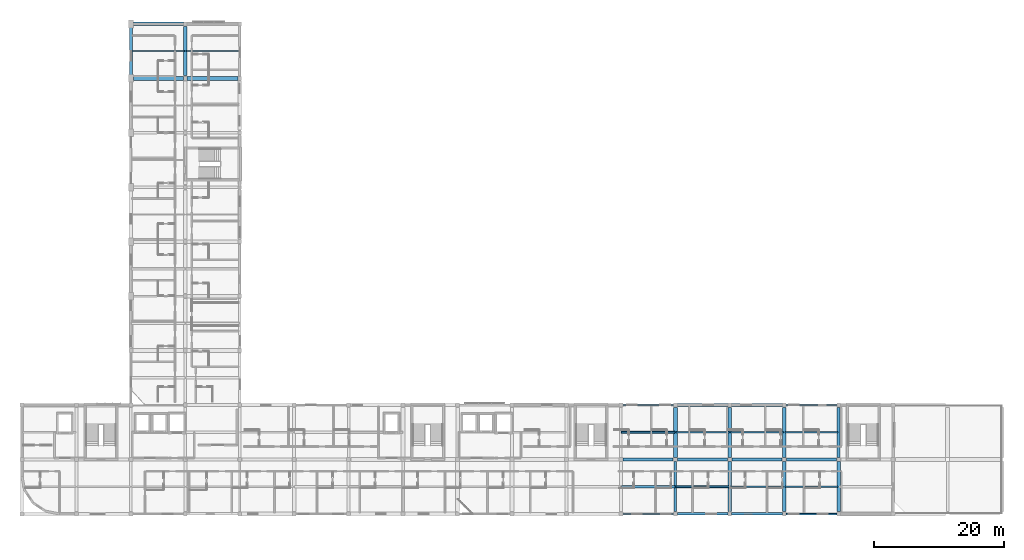
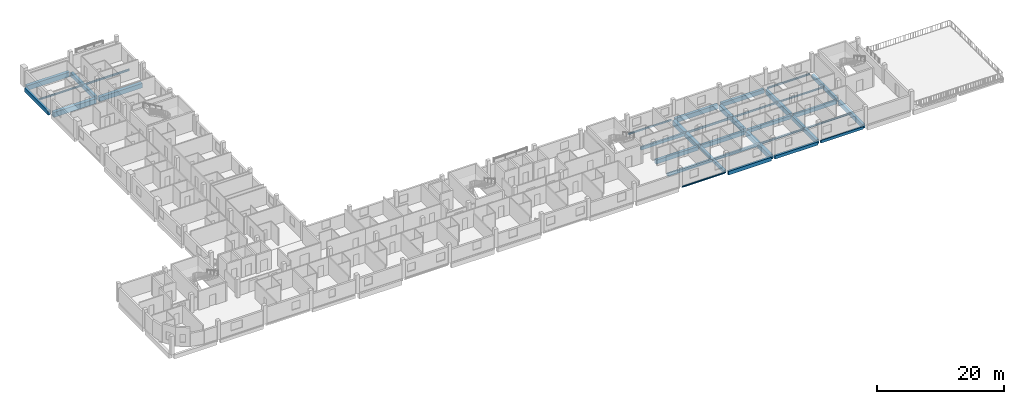
# One storey, part 5 of 25: 35 beams.
"""IFC4 building model written with IfcOpenShell, lengths in metres."""

import ifcopenshell
import ifcopenshell.guid

model = None  # the IFC model being written
_history = None  # IfcOwnerHistory: only IFC2X3 demands one
_inside = {}  # id of a spatial element -> (the spatial element, [elements in it])
_under = {}  # id of a project, library or spatial element -> (it, [spatial elements below it])
_declared = {}  # id of a project -> (the project, [libraries it declares])
_typed = {}  # id of a type object -> (the type object, [elements of that type])
_made_of = {}  # id of a material, layer set ... -> (it, [elements and type objects made of it])


def new_model(schema):
    """Start an empty IFC model of exactly this schema.

    Asked for "IFC4X3", IfcOpenShell would pick the latest addendum, in which some entities
    have other attributes; the version numbers below select the first issue.
    IFC2X3 requires an IfcOwnerHistory on every rooted entity: one is made here for all.
    """
    global model, _history
    if schema == "IFC4X3":
        model = ifcopenshell.file(schema_version=(4, 3, 0, 0))
    else:
        model = ifcopenshell.file(schema=schema)
    _inside.clear()
    _under.clear()
    _declared.clear()
    _typed.clear()
    _made_of.clear()
    _history = None
    if model.schema == "IFC2X3":
        org = make("IfcOrganization", Name="unknown")
        user = make(
            "IfcPersonAndOrganization",
            ThePerson=make("IfcPerson", FamilyName="unknown"),
            TheOrganization=org,
        )
        app = make(
            "IfcApplication",
            ApplicationDeveloper=org,
            Version="unknown",
            ApplicationFullName="unknown",
            ApplicationIdentifier="unknown",
        )
        _history = make(
            "IfcOwnerHistory",
            OwningUser=user,
            OwningApplication=app,
            ChangeAction="ADDED",
            CreationDate=0,
        )
    return model


def make(cls, **values):
    """One entity of the class cls with the attributes given. An attribute that is None is left unset."""
    return model.create_entity(
        cls, **{name: value for name, value in values.items() if value is not None}
    )


def rooted(cls, **values):
    """An entity with a GlobalId (a new one), such as an element, a storey or a relation."""
    return make(cls, GlobalId=ifcopenshell.guid.new(), OwnerHistory=_history, **values)


def si_unit(unit_type, name, prefix=None):
    """IfcSIUnit, for example si_unit("LENGTHUNIT", "METRE", prefix="MILLI")."""
    return make("IfcSIUnit", UnitType=unit_type, Prefix=prefix, Name=name)


def derived_unit(unit_type, elements):
    """IfcDerivedUnit: a product of units, each with its exponent."""
    return make(
        "IfcDerivedUnit",
        Elements=[
            make("IfcDerivedUnitElement", Unit=unit, Exponent=power)
            for unit, power in elements
        ],
        UnitType=unit_type,
    )


def assignment(units):
    """IfcUnitAssignment: the units of a project."""
    return None if units is None else make("IfcUnitAssignment", Units=units)


def point(xyz):
    """IfcCartesianPoint."""
    return None if xyz is None else make("IfcCartesianPoint", Coordinates=xyz)


def direction(xyz):
    """IfcDirection."""
    return None if xyz is None else make("IfcDirection", DirectionRatios=xyz)


def frame(location, z_axis=None, x_axis=None):
    """IfcAxis2Placement3D, a coordinate frame: its origin and axes. An axis left out is left unset."""
    return make(
        "IfcAxis2Placement3D",
        Location=point(location),
        Axis=direction(z_axis),
        RefDirection=direction(x_axis),
    )


def frame_2d(location, x_axis=None):
    """IfcAxis2Placement2D, a coordinate frame in the plane: its origin and x axis."""
    return make(
        "IfcAxis2Placement2D", Location=point(location), RefDirection=direction(x_axis)
    )


def origin():
    """The frame at (0, 0, 0) with its axes left unset."""
    return frame((0.0, 0.0, 0.0))


def origin_2d():
    """The frame at (0, 0) in the plane with its x axis left unset."""
    return frame_2d((0.0, 0.0))


def place(relative_to, where):
    """IfcLocalPlacement: puts the frame where relative to a parent placement (None: the world)."""
    return make(
        "IfcLocalPlacement", PlacementRelTo=relative_to, RelativePlacement=where
    )


def context(
    kind, dimensions, precision=None, world=None, true_north=None, identifier=None
):
    """IfcGeometricRepresentationContext, for example the 3D "Model" context."""
    return make(
        "IfcGeometricRepresentationContext",
        ContextIdentifier=identifier,
        ContextType=kind,
        CoordinateSpaceDimension=dimensions,
        Precision=precision,
        WorldCoordinateSystem=world,
        TrueNorth=true_north,
    )


def subcontext(parent, identifier, kind, view, scale=None):
    """IfcGeometricRepresentationSubContext, for example "Body" below "Model"."""
    return make(
        "IfcGeometricRepresentationSubContext",
        ContextIdentifier=identifier,
        ContextType=kind,
        ParentContext=parent,
        TargetScale=scale,
        TargetView=view,
    )


def project(units=None, contexts=None):
    """IfcProject with its units and contexts."""
    return rooted(
        "IfcProject",
        Name="project",
        RepresentationContexts=contexts,
        UnitsInContext=assignment(units),
    )


def spatial(cls, under=None, at=None, **own):
    """A site, building, storey or space (cls), placed at a placement, below another one or the project."""
    s = rooted(cls, ObjectPlacement=at, **own)
    if under is not None:
        _under.setdefault(under.id(), (under, []))[1].append(s)
    return s


def profile(cls, at=None, kind="AREA", **sizes):
    """A parametric profile (cls). Its sizes go by their IFC names, for example OverallWidth=200.0."""
    return make(cls, ProfileType=kind, Position=at, **sizes)


def rectangle(**sizes):
    """IfcRectangleProfileDef."""
    return profile("IfcRectangleProfileDef", **sizes)


def hollow_rectangle(**sizes):
    """IfcRectangleHollowProfileDef."""
    return profile("IfcRectangleHollowProfileDef", **sizes)


def i_section(**sizes):
    """IfcIShapeProfileDef."""
    return profile("IfcIShapeProfileDef", **sizes)


def extrude(swept, where, along, depth):
    """IfcExtrudedAreaSolid: the profile swept, set in the frame where, extruded along a direction by depth."""
    return make(
        "IfcExtrudedAreaSolid",
        SweptArea=swept,
        Position=where,
        ExtrudedDirection=direction(along),
        Depth=depth,
    )


def shape(context_of_items, identifier, shape_type, items):
    """IfcShapeRepresentation: the items that make up one representation, for example the "Body"."""
    return make(
        "IfcShapeRepresentation",
        ContextOfItems=context_of_items,
        RepresentationIdentifier=identifier,
        RepresentationType=shape_type,
        Items=items,
    )


def material(Name=None, Category=None):
    """IfcMaterial."""
    return make("IfcMaterial", Name=Name, Category=Category)


def material_profile(
    of_material, cross_section, Name=None, Category=None, Priority=None
):
    """IfcMaterialProfile: a cross section and its material."""
    return make(
        "IfcMaterialProfile",
        Name=Name,
        Material=of_material,
        Profile=cross_section,
        Priority=Priority,
        Category=Category,
    )


def profile_set(profiles, Name=None, composite=None):
    """IfcMaterialProfileSet."""
    return make(
        "IfcMaterialProfileSet",
        Name=Name,
        MaterialProfiles=profiles,
        CompositeProfile=composite,
    )


def made_of(thing, what):
    """Note that an element or type object is made of a material, layer set ...; save() writes the relation."""
    if what is not None:
        _made_of.setdefault(what.id(), (what, []))[1].append(thing)
    return thing


def type_object(cls, material=None, **own):
    """A type object (cls), such as IfcWallType, which elements share."""
    return made_of(rooted(cls, **own), material)


def element(
    cls,
    number,
    at=None,
    inside=None,
    cuts=None,
    type_object=None,
    material=None,
    context=None,
    identifier="Body",
    shape_type=None,
    held_by="IfcProductDefinitionShape",
    body=None,
    shapes=None,
    **own,
):
    """One element of the class cls, such as IfcWall. Its Tag is "e" and its number.

    at: its placement. inside: the storey or other place that contains it. cuts: it is an
    opening in that element (IfcRelVoidsElement). A single representation is given by context,
    identifier, shape_type and body (its items); several are given by shapes. held_by: the class
    of the entity that holds the representations. save() writes the other relations.
    """
    e = rooted(cls, Tag="e%d" % number, ObjectPlacement=at, **own)
    if body is not None:
        shapes = [shape(context, identifier, shape_type, body)]
    if shapes is not None:
        e.Representation = make(held_by, Representations=shapes)
    if inside is not None:
        _inside.setdefault(inside.id(), (inside, []))[1].append(e)
    if cuts is not None:
        rooted(
            "IfcRelVoidsElement", RelatingBuildingElement=cuts, RelatedOpeningElement=e
        )
    if type_object is not None:
        _typed.setdefault(type_object.id(), (type_object, []))[1].append(e)
    return made_of(e, material)


def aggregate(whole, parts):
    """IfcRelAggregates: a whole, such as a stair, and the parts it consists of."""
    return rooted("IfcRelAggregates", RelatingObject=whole, RelatedObjects=parts)


def save(model, path):
    """Write the relations noted so far, then the file.

    IfcRelAggregates (storeys below a building ...), IfcRelContainedInSpatialStructure (elements
    in a storey), IfcRelDefinesByType, IfcRelAssociatesMaterial and IfcRelDeclares: one each for
    every whole, place, type object, material and project.
    """
    for whole, parts in _under.values():
        aggregate(whole, parts)
    for where, things in _inside.values():
        rooted(
            "IfcRelContainedInSpatialStructure",
            RelatedElements=things,
            RelatingStructure=where,
        )
    for kind, things in _typed.values():
        rooted("IfcRelDefinesByType", RelatedObjects=things, RelatingType=kind)
    for what, things in _made_of.values():
        rooted("IfcRelAssociatesMaterial", RelatedObjects=things, RelatingMaterial=what)
    for by, libraries in _declared.values():
        rooted("IfcRelDeclares", RelatingContext=by, RelatedDefinitions=libraries)
    model.write(path)


model = new_model("IFC4")

# Units and contexts
model_context = context("Model", 3, precision=1e-05, world=origin(), true_north=direction((0.0, 1.0)))
body_context = subcontext(model_context, "Body", "Model", "MODEL_VIEW")
ifc_project = project(units=[si_unit("LENGTHUNIT", "METRE"), si_unit("AREAUNIT", "SQUARE_METRE"), si_unit("VOLUMEUNIT", "CUBIC_METRE"), si_unit("PLANEANGLEUNIT", "RADIAN"), si_unit("MASSUNIT", "GRAM", prefix="KILO"), derived_unit("THERMALTRANSMITTANCEUNIT", [(si_unit("POWERUNIT", "WATT"), 1), (si_unit("LENGTHUNIT", "METRE"), -2), (si_unit("THERMODYNAMICTEMPERATUREUNIT", "KELVIN"), -1)])], contexts=[model_context])

# Site, building, storey
site_placement = place(None, origin())
site = spatial("IfcSite", under=ifc_project, at=site_placement, CompositionType="ELEMENT")
building_placement = place(site_placement, origin())
building = spatial("IfcBuilding", under=site, at=building_placement, Name="Barrovel Congress Hotel", CompositionType="ELEMENT")
storey_placement = place(building_placement, frame((0.0, 0.0, 25.5)))
storey = spatial("IfcBuildingStorey", under=building, at=storey_placement, Name="L06", CompositionType="ELEMENT", Elevation=25.5)

# Beams
ifc_material_1 = material(Name="Concrete C40", Category="concrete")
ifc_material_profile_1 = material_profile(ifc_material_1, rectangle(XDim=0.25, YDim=0.5, at=origin_2d()), Name="RC250x500")
ifc_profile_set_1 = profile_set([ifc_material_profile_1], Name="Concrete C40")
beam_type_1 = type_object("IfcBeamType", Name="BM-RC250x500", PredefinedType="SPANDREL", material=ifc_profile_set_1)
beam_1_placement = place(storey_placement, frame((134.699951171875, 4.199951171875, -0.469970703125), z_axis=(1.0, 0.0, 0.0), x_axis=(0.0, 1.0, 0.0)))
element("IfcBeam", 1, at=beam_1_placement, inside=storey, type_object=beam_type_1, Name="BMX:L06:4.2:134.4-142.8", PredefinedType="SPANDREL", context=body_context, shape_type="SweptSolid", body=[
    extrude(rectangle(XDim=0.25, YDim=0.5, at=origin_2d()), origin(), (0.0, 0.0, 1.0), 7.800048828125),
])
ifc_material_profile_2 = material_profile(ifc_material_1, rectangle(XDim=0.300048828125, YDim=0.5, at=origin_2d()), Name="RC300x500")
ifc_profile_set_2 = profile_set([ifc_material_profile_2], Name="Concrete C40")
beam_type_2 = type_object("IfcBeamType", Name="BM-RC300x500", PredefinedType="JOIST", material=ifc_profile_set_2)
beam_2_placement = place(storey_placement, frame((117.679931640625, 8.39990234375, -0.469970703125), z_axis=(1.0, 0.0, 0.0), x_axis=(0.0, 1.0, 0.0)))
element("IfcBeam", 2, at=beam_2_placement, inside=storey, type_object=beam_type_2, Name="JST:L06:117.6:8.4", PredefinedType="JOIST", context=body_context, shape_type="SweptSolid", body=[
    extrude(rectangle(XDim=0.300048828125, YDim=0.5, at=origin_2d()), origin(), (0.0, 0.0, 1.0), 8.239990234375),
])
ifc_material_profile_3 = material_profile(ifc_material_1, rectangle(XDim=0.300048828125, YDim=0.60009765625, at=origin_2d()), Name="RC300x600")
ifc_profile_set_3 = profile_set([ifc_material_profile_3], Name="Concrete C40")
beam_type_3 = type_object("IfcBeamType", Name="BM-RC300x600", PredefinedType="JOIST", material=ifc_profile_set_3)
beam_3_placement = place(storey_placement, frame((109.280029296875, 16.800048828125, -0.52001953125), z_axis=(1.0, 0.0, 0.0), x_axis=(0.0, 1.0, 0.0)))
element("IfcBeam", 3, at=beam_3_placement, inside=storey, type_object=beam_type_3, Name="JST:L06:109.2:16.8", PredefinedType="JOIST", context=body_context, shape_type="SweptSolid", body=[
    extrude(rectangle(XDim=0.300048828125, YDim=0.60009765625, at=origin_2d()), origin(), (0.0, 0.0, 1.0), 8.239990234375),
])
ifc_material_profile_4 = material_profile(ifc_material_1, rectangle(XDim=0.35009765625, YDim=0.550048828125, at=origin_2d()), Name="RC350x550")
ifc_profile_set_4 = profile_set([ifc_material_profile_4], Name="Concrete C40")
beam_type_4 = type_object("IfcBeamType", Name="BM-RC350x550", PredefinedType="JOIST", material=ifc_profile_set_4)
beam_4_placement = place(storey_placement, frame((109.280029296875, 8.39990234375, -0.4951171875), z_axis=(1.0, 0.0, 0.0), x_axis=(0.0, 1.0, 0.0)))
element("IfcBeam", 4, at=beam_4_placement, inside=storey, type_object=beam_type_4, Name="JST:L06:109.2:8.4", PredefinedType="JOIST", context=body_context, shape_type="SweptSolid", body=[
    extrude(rectangle(XDim=0.35009765625, YDim=0.550048828125, at=origin_2d()), origin(), (0.0, 0.0, 1.0), 8.239990234375),
])
ifc_material_profile_5 = material_profile(ifc_material_1, rectangle(XDim=0.39990234375, YDim=0.60009765625, at=origin_2d()), Name="RC400x600")
ifc_profile_set_5 = profile_set([ifc_material_profile_5], Name="Concrete C40")
beam_type_5 = type_object("IfcBeamType", Name="BM-RC400x600", PredefinedType="BEAM", material=ifc_profile_set_5)
beam_5_placement = place(storey_placement, frame((126.300048828125, 4.199951171875, -0.52001953125), z_axis=(1.0, 0.0, 0.0), x_axis=(0.0, 1.0, 0.0)))
element("IfcBeam", 5, at=beam_5_placement, inside=storey, type_object=beam_type_5, Name="BMX:L06:4.2:126.0-134.4", PredefinedType="BEAM", context=body_context, shape_type="SweptSolid", body=[
    extrude(rectangle(XDim=0.39990234375, YDim=0.60009765625, at=origin_2d()), origin(), (0.0, 0.0, 1.0), 7.800048828125),
])
beam_6_placement = place(storey_placement, frame((117.60009765625, 4.60009765625, -0.52001953125), z_axis=(0.0, 1.0, 0.0), x_axis=(-1.0, 0.0, 0.0)))
element("IfcBeam", 6, at=beam_6_placement, inside=storey, type_object=beam_type_5, Name="BMY:L06:117.6:4.2-12.6", PredefinedType="BEAM", context=body_context, shape_type="SweptSolid", body=[
    extrude(rectangle(XDim=0.39990234375, YDim=0.60009765625, at=origin_2d()), origin(), (0.0, 0.0, 1.0), 7.6748046875),
])
ifc_material_profile_6 = material_profile(ifc_material_1, rectangle(XDim=0.39990234375, YDim=0.699951171875, at=origin_2d()), Name="RC400x700")
ifc_profile_set_6 = profile_set([ifc_material_profile_6], Name="Concrete C40")
beam_type_6 = type_object("IfcBeamType", Name="BM-RC400x700", PredefinedType="BEAM", material=ifc_profile_set_6)
beam_7_placement = place(storey_placement, frame((117.89990234375, 4.199951171875, -0.570068359375), z_axis=(1.0, 0.0, 0.0), x_axis=(0.0, 1.0, 0.0)))
element("IfcBeam", 7, at=beam_7_placement, inside=storey, type_object=beam_type_6, Name="BMX:L06:4.2:117.6-126.0", PredefinedType="BEAM", context=body_context, shape_type="SweptSolid", body=[
    extrude(rectangle(XDim=0.39990234375, YDim=0.699951171875, at=origin_2d()), origin(), (0.0, 0.0, 1.0), 7.800048828125),
])
beam_8_placement = place(storey_placement, frame((134.72509765625, 12.60009765625, -0.570068359375), z_axis=(1.0, 0.0, 0.0), x_axis=(0.0, 1.0, 0.0)))
element("IfcBeam", 8, at=beam_8_placement, inside=storey, type_object=beam_type_6, Name="BMX:L06:12.6:134.4-142.8", PredefinedType="BEAM", context=body_context, shape_type="SweptSolid", body=[
    extrude(rectangle(XDim=0.39990234375, YDim=0.699951171875, at=origin_2d()), origin(), (0.0, 0.0, 1.0), 7.75),
])
ifc_material_profile_7 = material_profile(ifc_material_1, rectangle(XDim=0.449951171875, YDim=0.64990234375, at=origin_2d()), Name="RC450x650")
ifc_profile_set_7 = profile_set([ifc_material_profile_7], Name="Concrete C40")
beam_type_7 = type_object("IfcBeamType", Name="BM-RC450x650", PredefinedType="BEAM", material=ifc_profile_set_7)
beam_9_placement = place(storey_placement, frame((126.324951171875, 12.60009765625, -0.544921875), z_axis=(1.0, 0.0, 0.0), x_axis=(0.0, 1.0, 0.0)))
element("IfcBeam", 9, at=beam_9_placement, inside=storey, type_object=beam_type_7, Name="BMX:L06:12.6:126.0-134.4", PredefinedType="BEAM", context=body_context, shape_type="SweptSolid", body=[
    extrude(rectangle(XDim=0.449951171875, YDim=0.64990234375, at=origin_2d()), origin(), (0.0, 0.0, 1.0), 7.75),
])
ifc_material_profile_8 = material_profile(ifc_material_1, rectangle(XDim=0.449951171875, YDim=0.75, at=origin_2d()), Name="RC450x750")
ifc_profile_set_8 = profile_set([ifc_material_profile_8], Name="Concrete C40")
beam_type_8 = type_object("IfcBeamType", Name="BM-RC450x750", PredefinedType="BEAM", material=ifc_profile_set_8)
beam_10_placement = place(storey_placement, frame((117.925048828125, 12.60009765625, -0.594970703125), z_axis=(1.0, 0.0, 0.0), x_axis=(0.0, 1.0, 0.0)))
element("IfcBeam", 10, at=beam_10_placement, inside=storey, type_object=beam_type_8, Name="BMX:L06:12.6:117.6-126.0", PredefinedType="BEAM", context=body_context, shape_type="SweptSolid", body=[
    extrude(rectangle(XDim=0.449951171875, YDim=0.75, at=origin_2d()), origin(), (0.0, 0.0, 1.0), 7.75),
])
beam_11_placement = place(storey_placement, frame((33.60009765625, 71.85009765625, -0.594970703125), z_axis=(0.0, 1.0, 0.0), x_axis=(-1.0, 0.0, 0.0)))
element("IfcBeam", 11, at=beam_11_placement, inside=storey, type_object=beam_type_8, Name="BMY:L06:33.6:71.4-79.8", PredefinedType="BEAM", context=body_context, shape_type="SweptSolid", body=[
    extrude(rectangle(XDim=0.449951171875, YDim=0.75, at=origin_2d()), origin(), (0.0, 0.0, 1.0), 7.5),
])
beam_12_placement = place(storey_placement, frame((142.800048828125, 12.925048828125, -0.594970703125), z_axis=(0.0, 1.0, 0.0), x_axis=(-1.0, 0.0, 0.0)))
element("IfcBeam", 12, at=beam_12_placement, inside=storey, type_object=beam_type_8, Name="BMY:L06:142.8:12.6-21.0", PredefinedType="BEAM", context=body_context, shape_type="SweptSolid", body=[
    extrude(rectangle(XDim=0.449951171875, YDim=0.75, at=origin_2d()), origin(), (0.0, 0.0, 1.0), 7.675048828125),
])
ifc_material_profile_9 = material_profile(ifc_material_1, rectangle(XDim=0.5, YDim=0.75, at=origin_2d()), Name="RC500x750")
ifc_profile_set_9 = profile_set([ifc_material_profile_9], Name="Concrete C40")
beam_type_9 = type_object("IfcBeamType", Name="BM-RC500x750", PredefinedType="BEAM", material=ifc_profile_set_9)
beam_13_placement = place(storey_placement, frame((109.52490234375, 12.60009765625, -0.594970703125), z_axis=(1.0, 0.0, 0.0), x_axis=(0.0, 1.0, 0.0)))
element("IfcBeam", 13, at=beam_13_placement, inside=storey, type_object=beam_type_9, Name="BMX:L06:12.6:109.2-117.6", PredefinedType="BEAM", context=body_context, shape_type="SweptSolid", body=[
    extrude(rectangle(XDim=0.5, YDim=0.75, at=origin_2d()), origin(), (0.0, 0.0, 1.0), 7.75),
])
beam_14_placement = place(storey_placement, frame((126.300048828125, 21.0, -0.594970703125), z_axis=(1.0, 0.0, 0.0), x_axis=(0.0, 1.0, 0.0)))
element("IfcBeam", 14, at=beam_14_placement, inside=storey, type_object=beam_type_9, Name="BMX:L06:21.0:126.0-134.4", PredefinedType="BEAM", context=body_context, shape_type="SweptSolid", body=[
    extrude(rectangle(XDim=0.5, YDim=0.75, at=origin_2d()), origin(), (0.0, 0.0, 1.0), 7.800048828125),
])
beam_15_placement = place(storey_placement, frame((42.0, 71.800048828125, -0.594970703125), z_axis=(0.0, 1.0, 0.0), x_axis=(-1.0, 0.0, 0.0)))
element("IfcBeam", 15, at=beam_15_placement, inside=storey, type_object=beam_type_9, Name="BMY:L06:42.0:71.4-79.8", PredefinedType="BEAM", context=body_context, shape_type="SweptSolid", body=[
    extrude(rectangle(XDim=0.5, YDim=0.75, at=origin_2d()), origin(), (0.0, 0.0, 1.0), 7.599853515625),
])
beam_16_placement = place(storey_placement, frame((142.800048828125, 4.60009765625, -0.594970703125), z_axis=(0.0, 1.0, 0.0), x_axis=(-1.0, 0.0, 0.0)))
element("IfcBeam", 16, at=beam_16_placement, inside=storey, type_object=beam_type_9, Name="BMY:L06:142.8:4.2-12.6", PredefinedType="BEAM", context=body_context, shape_type="SweptSolid", body=[
    extrude(rectangle(XDim=0.5, YDim=0.75, at=origin_2d()), origin(), (0.0, 0.0, 1.0), 7.6748046875),
])
ifc_material_profile_10 = material_profile(ifc_material_1, rectangle(XDim=0.5, YDim=0.85009765625, at=origin_2d()), Name="RC500x850")
ifc_profile_set_10 = profile_set([ifc_material_profile_10], Name="Concrete C40")
beam_type_10 = type_object("IfcBeamType", Name="BM-RC500x850", PredefinedType="BEAM", material=ifc_profile_set_10)
beam_17_placement = place(storey_placement, frame((117.89990234375, 21.0, -0.64501953125), z_axis=(1.0, 0.0, 0.0), x_axis=(0.0, 1.0, 0.0)))
element("IfcBeam", 17, at=beam_17_placement, inside=storey, type_object=beam_type_10, Name="BMX:L06:21.0:117.6-126.0", PredefinedType="BEAM", context=body_context, shape_type="SweptSolid", body=[
    extrude(rectangle(XDim=0.5, YDim=0.85009765625, at=origin_2d()), origin(), (0.0, 0.0, 1.0), 7.800048828125),
])
beam_18_placement = place(storey_placement, frame((134.39990234375, 12.925048828125, -0.64501953125), z_axis=(0.0, 1.0, 0.0), x_axis=(-1.0, 0.0, 0.0)))
element("IfcBeam", 18, at=beam_18_placement, inside=storey, type_object=beam_type_10, Name="BMY:L06:134.4:12.6-21.0", PredefinedType="BEAM", context=body_context, shape_type="SweptSolid", body=[
    extrude(rectangle(XDim=0.5, YDim=0.85009765625, at=origin_2d()), origin(), (0.0, 0.0, 1.0), 7.675048828125),
])
ifc_material_profile_11 = material_profile(ifc_material_1, rectangle(XDim=0.550048828125, YDim=0.800048828125, at=origin_2d()), Name="RC550x800")
ifc_profile_set_11 = profile_set([ifc_material_profile_11], Name="Concrete C40")
beam_type_11 = type_object("IfcBeamType", Name="BM-RC550x800", PredefinedType="BEAM", material=ifc_profile_set_11)
beam_19_placement = place(storey_placement, frame((134.39990234375, 4.60009765625, -0.6201171875), z_axis=(0.0, 1.0, 0.0), x_axis=(-1.0, 0.0, 0.0)))
element("IfcBeam", 19, at=beam_19_placement, inside=storey, type_object=beam_type_11, Name="BMY:L06:134.4:4.2-12.6", PredefinedType="BEAM", context=body_context, shape_type="SweptSolid", body=[
    extrude(rectangle(XDim=0.550048828125, YDim=0.800048828125, at=origin_2d()), origin(), (0.0, 0.0, 1.0), 7.6748046875),
])
ifc_material_profile_12 = material_profile(ifc_material_1, rectangle(XDim=0.550048828125, YDim=0.89990234375, at=origin_2d()), Name="RC550x900")
ifc_profile_set_12 = profile_set([ifc_material_profile_12], Name="Concrete C40")
beam_type_12 = type_object("IfcBeamType", Name="BM-RC550x900", PredefinedType="BEAM", material=ifc_profile_set_12)
beam_20_placement = place(storey_placement, frame((34.0, 79.800048828125, -0.669921875), z_axis=(1.0, 0.0, 0.0), x_axis=(0.0, 1.0, 0.0)))
element("IfcBeam", 20, at=beam_20_placement, inside=storey, type_object=beam_type_12, Name="BMX:L06:79.8:33.6-42.0", PredefinedType="BEAM", context=body_context, shape_type="SweptSolid", body=[
    extrude(rectangle(XDim=0.550048828125, YDim=0.89990234375, at=origin_2d()), origin(), (0.0, 0.0, 1.0), 7.699951171875),
])
beam_21_placement = place(storey_placement, frame((126.0, 12.925048828125, -0.669921875), z_axis=(0.0, 1.0, 0.0), x_axis=(-1.0, 0.0, 0.0)))
element("IfcBeam", 21, at=beam_21_placement, inside=storey, type_object=beam_type_12, Name="BMY:L06:126.0:12.6-21.0", PredefinedType="BEAM", context=body_context, shape_type="SweptSolid", body=[
    extrude(rectangle(XDim=0.550048828125, YDim=0.89990234375, at=origin_2d()), origin(), (0.0, 0.0, 1.0), 7.675048828125),
])
ifc_material_profile_13 = material_profile(ifc_material_1, rectangle(XDim=0.60009765625, YDim=0.85009765625, at=origin_2d()), Name="RC600x850")
ifc_profile_set_13 = profile_set([ifc_material_profile_13], Name="Concrete C40")
beam_type_13 = type_object("IfcBeamType", Name="BM-RC600x850", PredefinedType="BEAM", material=ifc_profile_set_13)
beam_22_placement = place(storey_placement, frame((42.300048828125, 71.39990234375, -0.64501953125), z_axis=(1.0, 0.0, 0.0), x_axis=(0.0, 1.0, 0.0)))
element("IfcBeam", 22, at=beam_22_placement, inside=storey, type_object=beam_type_13, Name="BMX:L06:71.4:42.0-50.4", PredefinedType="BEAM", context=body_context, shape_type="SweptSolid", body=[
    extrude(rectangle(XDim=0.60009765625, YDim=0.85009765625, at=origin_2d()), origin(), (0.0, 0.0, 1.0), 7.800048828125),
])
beam_23_placement = place(storey_placement, frame((126.0, 4.60009765625, -0.64501953125), z_axis=(0.0, 1.0, 0.0), x_axis=(-1.0, 0.0, 0.0)))
element("IfcBeam", 23, at=beam_23_placement, inside=storey, type_object=beam_type_13, Name="BMY:L06:126.0:4.2-12.6", PredefinedType="BEAM", context=body_context, shape_type="SweptSolid", body=[
    extrude(rectangle(XDim=0.60009765625, YDim=0.85009765625, at=origin_2d()), origin(), (0.0, 0.0, 1.0), 7.6748046875),
])
ifc_material_profile_14 = material_profile(ifc_material_1, rectangle(XDim=0.60009765625, YDim=0.949951171875, at=origin_2d()), Name="RC600x950")
ifc_profile_set_14 = profile_set([ifc_material_profile_14], Name="Concrete C40")
beam_type_14 = type_object("IfcBeamType", Name="BM-RC600x950", PredefinedType="BEAM", material=ifc_profile_set_14)
beam_24_placement = place(storey_placement, frame((34.0, 71.39990234375, -0.695068359375), z_axis=(1.0, 0.0, 0.0), x_axis=(0.0, 1.0, 0.0)))
element("IfcBeam", 24, at=beam_24_placement, inside=storey, type_object=beam_type_14, Name="BMX:L06:71.4:33.6-42.0", PredefinedType="BEAM", context=body_context, shape_type="SweptSolid", body=[
    extrude(rectangle(XDim=0.60009765625, YDim=0.949951171875, at=origin_2d()), origin(), (0.0, 0.0, 1.0), 7.699951171875),
])
beam_25_placement = place(storey_placement, frame((117.60009765625, 12.925048828125, -0.695068359375), z_axis=(0.0, 1.0, 0.0), x_axis=(-1.0, 0.0, 0.0)))
element("IfcBeam", 25, at=beam_25_placement, inside=storey, type_object=beam_type_14, Name="BMY:L06:117.6:12.6-21.0", PredefinedType="BEAM", context=body_context, shape_type="SweptSolid", body=[
    extrude(rectangle(XDim=0.60009765625, YDim=0.949951171875, at=origin_2d()), origin(), (0.0, 0.0, 1.0), 7.675048828125),
])
ifc_material_2 = material(Name="Steel ASTM A500 Grade C", Category="steel")
ifc_material_profile_15 = material_profile(ifc_material_2, hollow_rectangle(XDim=0.203125, YDim=0.3046875, WallThickness=0.01171875, InnerFilletRadius=0.01171875, OuterFilletRadius=0.023681640625, at=origin_2d()), Name="HSS305x203x12.7")
ifc_profile_set_15 = profile_set([ifc_material_profile_15], Name="Steel ASTM A500 Grade C")
beam_type_15 = type_object("IfcBeamType", Name="SBM-HSS305x203x12.7", PredefinedType="SPANDREL", material=ifc_profile_set_15)
beam_26_placement = place(storey_placement, frame((109.5, 21.0, -0.372314453125), z_axis=(1.0, 0.0, 0.0), x_axis=(0.0, 1.0, 0.0)))
element("IfcBeam", 26, at=beam_26_placement, inside=storey, type_object=beam_type_15, Name="BMX:L06:21.0:109.2-117.6", PredefinedType="SPANDREL", context=body_context, shape_type="SweptSolid", body=[
    extrude(hollow_rectangle(XDim=0.203125, YDim=0.3046875, WallThickness=0.01171875, InnerFilletRadius=0.01171875, OuterFilletRadius=0.023681640625, at=origin_2d()), origin(), (0.0, 0.0, 1.0), 7.800048828125),
])
ifc_material_3 = material(Name="Steel ASTM A992 Grade 50", Category="steel")
ifc_material_profile_16 = material_profile(ifc_material_3, i_section(OverallWidth=0.201904296875, OverallDepth=0.2470703125, WebThickness=0.00732421875, FlangeThickness=0.010986328125, FilletRadius=0.011962890625, at=origin_2d()), Name="W250x49")
ifc_profile_set_16 = profile_set([ifc_material_profile_16], Name="Steel ASTM A992 Grade 50")
beam_type_16 = type_object("IfcBeamType", Name="SBM-W250x49", PredefinedType="SPANDREL", material=ifc_profile_set_16)
beam_27_placement = place(storey_placement, frame((109.5, 4.199951171875, -0.343505859375), z_axis=(1.0, 0.0, 0.0), x_axis=(0.0, 1.0, 0.0)))
element("IfcBeam", 27, at=beam_27_placement, inside=storey, type_object=beam_type_16, Name="BMX:L06:4.2:109.2-117.6", PredefinedType="SPANDREL", context=body_context, shape_type="SweptSolid", body=[
    extrude(i_section(OverallWidth=0.201904296875, OverallDepth=0.2470703125, WebThickness=0.00732421875, FlangeThickness=0.010986328125, FilletRadius=0.011962890625, at=origin_2d()), origin(), (0.0, 0.0, 1.0), 7.800048828125),
])
ifc_material_profile_17 = material_profile(ifc_material_3, i_section(OverallWidth=0.1650390625, OverallDepth=0.31005859375, WebThickness=0.005859375, FlangeThickness=0.009765625, FilletRadius=0.010986328125, at=origin_2d()), Name="W310x39")
ifc_profile_set_17 = profile_set([ifc_material_profile_17], Name="Steel ASTM A992 Grade 50")
beam_type_17 = type_object("IfcBeamType", Name="SBM-W310x39", PredefinedType="JOIST", material=ifc_profile_set_17)
beam_28_placement = place(storey_placement, frame((134.47998046875, 16.800048828125, -0.375), z_axis=(1.0, 0.0, 0.0), x_axis=(0.0, 1.0, 0.0)))
element("IfcBeam", 28, at=beam_28_placement, inside=storey, type_object=beam_type_17, Name="JST:L06:134.4:16.8", PredefinedType="JOIST", context=body_context, shape_type="SweptSolid", body=[
    extrude(i_section(OverallWidth=0.1650390625, OverallDepth=0.31005859375, WebThickness=0.005859375, FlangeThickness=0.009765625, FilletRadius=0.010986328125, at=origin_2d()), origin(), (0.0, 0.0, 1.0), 8.239990234375),
])
ifc_material_profile_18 = material_profile(ifc_material_3, i_section(OverallWidth=0.1669921875, OverallDepth=0.31689453125, WebThickness=0.007568359375, FlangeThickness=0.01318359375, FilletRadius=0.010986328125, at=origin_2d()), Name="W310x52")
ifc_profile_set_18 = profile_set([ifc_material_profile_18], Name="Steel ASTM A992 Grade 50")
beam_type_18 = type_object("IfcBeamType", Name="SBM-W310x52", PredefinedType="JOIST", material=ifc_profile_set_18)
for number, where, z_axis, x_axis, name in (
    (29, (33.679931640625, 75.60009765625, -0.37841796875), (1.0, 0.0, 0.0), (0.0, 1.0, 0.0), "JST:L06:33.6:75.6"),
    (30, (134.47998046875, 8.39990234375, -0.37841796875), (1.0, 0.0, 0.0), (0.0, 1.0, 0.0), "JST:L06:134.4:8.4"),
):
    element("IfcBeam", number, at=place(storey_placement, frame(where, z_axis=z_axis, x_axis=x_axis)), inside=storey, type_object=beam_type_18, Name=name, PredefinedType="JOIST", context=body_context, shape_type="SweptSolid", body=[
        extrude(i_section(OverallWidth=0.1669921875, OverallDepth=0.31689453125, WebThickness=0.007568359375, FlangeThickness=0.01318359375, FilletRadius=0.010986328125, at=origin_2d()), origin(), (0.0, 0.0, 1.0), 8.239990234375),
    ])
ifc_material_profile_19 = material_profile(ifc_material_3, i_section(OverallWidth=0.205078125, OverallDepth=0.31005859375, WebThickness=0.009521484375, FlangeThickness=0.016357421875, FilletRadius=0.012939453125, at=origin_2d()), Name="W310x74")
ifc_profile_set_19 = profile_set([ifc_material_profile_19], Name="Steel ASTM A992 Grade 50")
beam_type_19 = type_object("IfcBeamType", Name="SBM-W310x74", PredefinedType="SPANDREL", material=ifc_profile_set_19)
beam_29_placement = place(storey_placement, frame((134.699951171875, 21.0, -0.375), z_axis=(1.0, 0.0, 0.0), x_axis=(0.0, 1.0, 0.0)))
element("IfcBeam", 31, at=beam_29_placement, inside=storey, type_object=beam_type_19, Name="BMX:L06:21.0:134.4-142.8", PredefinedType="SPANDREL", context=body_context, shape_type="SweptSolid", body=[
    extrude(i_section(OverallWidth=0.205078125, OverallDepth=0.31005859375, WebThickness=0.009521484375, FlangeThickness=0.016357421875, FilletRadius=0.012939453125, at=origin_2d()), origin(), (0.0, 0.0, 1.0), 7.800048828125),
])
ifc_material_profile_20 = material_profile(ifc_material_3, i_section(OverallWidth=0.1708984375, OverallDepth=0.35205078125, WebThickness=0.0068359375, FlangeThickness=0.009765625, FilletRadius=0.011962890625, at=origin_2d()), Name="W360x44")
ifc_profile_set_20 = profile_set([ifc_material_profile_20], Name="Steel ASTM A992 Grade 50")
beam_type_20 = type_object("IfcBeamType", Name="SBM-W360x44", PredefinedType="JOIST", material=ifc_profile_set_20)
for number, where, z_axis, x_axis, name in (
    (32, (42.080078125, 75.60009765625, -0.39599609375), (1.0, 0.0, 0.0), (0.0, 1.0, 0.0), "JST:L06:42.0:75.6"),
    (33, (126.080078125, 16.800048828125, -0.39599609375), (1.0, 0.0, 0.0), (0.0, 1.0, 0.0), "JST:L06:126.0:16.8"),
):
    element("IfcBeam", number, at=place(storey_placement, frame(where, z_axis=z_axis, x_axis=x_axis)), inside=storey, type_object=beam_type_20, Name=name, PredefinedType="JOIST", context=body_context, shape_type="SweptSolid", body=[
        extrude(i_section(OverallWidth=0.1708984375, OverallDepth=0.35205078125, WebThickness=0.0068359375, FlangeThickness=0.009765625, FilletRadius=0.011962890625, at=origin_2d()), origin(), (0.0, 0.0, 1.0), 8.239990234375),
    ])
ifc_material_profile_21 = material_profile(ifc_material_3, i_section(OverallWidth=0.172119140625, OverallDepth=0.35791015625, WebThickness=0.0078125, FlangeThickness=0.01318359375, FilletRadius=0.011962890625, at=origin_2d()), Name="W360x57")
ifc_profile_set_21 = profile_set([ifc_material_profile_21], Name="Steel ASTM A992 Grade 50")
beam_type_21 = type_object("IfcBeamType", Name="SBM-W360x57", PredefinedType="JOIST", material=ifc_profile_set_21)
beam_30_placement = place(storey_placement, frame((126.080078125, 8.39990234375, -0.39892578125), z_axis=(1.0, 0.0, 0.0), x_axis=(0.0, 1.0, 0.0)))
element("IfcBeam", 34, at=beam_30_placement, inside=storey, type_object=beam_type_21, Name="JST:L06:126.0:8.4", PredefinedType="JOIST", context=body_context, shape_type="SweptSolid", body=[
    extrude(i_section(OverallWidth=0.172119140625, OverallDepth=0.35791015625, WebThickness=0.0078125, FlangeThickness=0.01318359375, FilletRadius=0.011962890625, at=origin_2d()), origin(), (0.0, 0.0, 1.0), 8.239990234375),
])
ifc_material_profile_22 = material_profile(ifc_material_3, i_section(OverallWidth=0.177001953125, OverallDepth=0.403076171875, WebThickness=0.007568359375, FlangeThickness=0.010986328125, FilletRadius=0.011962890625, at=origin_2d()), Name="W410x53")
ifc_profile_set_22 = profile_set([ifc_material_profile_22], Name="Steel ASTM A992 Grade 50")
beam_type_22 = type_object("IfcBeamType", Name="SBM-W410x53", PredefinedType="JOIST", material=ifc_profile_set_22)
beam_31_placement = place(storey_placement, frame((117.679931640625, 16.800048828125, -0.42138671875), z_axis=(1.0, 0.0, 0.0), x_axis=(0.0, 1.0, 0.0)))
element("IfcBeam", 35, at=beam_31_placement, inside=storey, type_object=beam_type_22, Name="JST:L06:117.6:16.8", PredefinedType="JOIST", context=body_context, shape_type="SweptSolid", body=[
    extrude(i_section(OverallWidth=0.177001953125, OverallDepth=0.403076171875, WebThickness=0.007568359375, FlangeThickness=0.010986328125, FilletRadius=0.011962890625, at=origin_2d()), origin(), (0.0, 0.0, 1.0), 8.239990234375),
])

save(model, "model.ifc")
